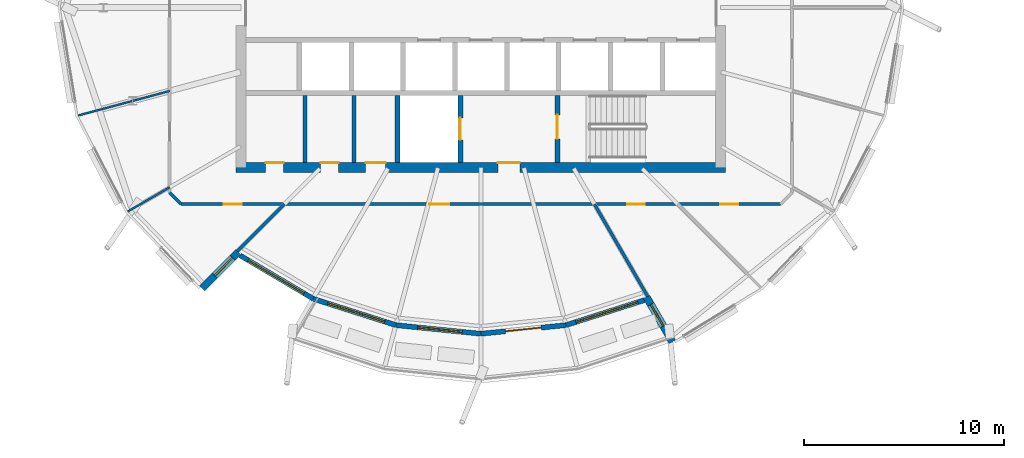
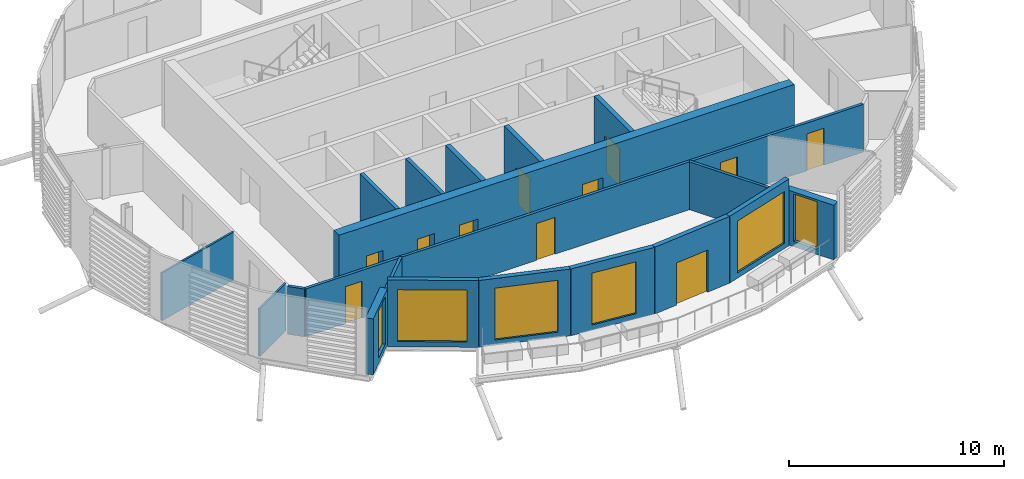
# One storey, part 20 of 41: 19 walls, 11 doors, 6 windows, 17 openings.
"""IFC4 building model written with IfcOpenShell, lengths in metres."""

import ifcopenshell
import ifcopenshell.guid

model = None  # the IFC model being written
_history = None  # IfcOwnerHistory: only IFC2X3 demands one
_inside = {}  # id of a spatial element -> (the spatial element, [elements in it])
_under = {}  # id of a project, library or spatial element -> (it, [spatial elements below it])
_declared = {}  # id of a project -> (the project, [libraries it declares])
_typed = {}  # id of a type object -> (the type object, [elements of that type])
_made_of = {}  # id of a material, layer set ... -> (it, [elements and type objects made of it])


def new_model(schema):
    """Start an empty IFC model of exactly this schema.

    Asked for "IFC4X3", IfcOpenShell would pick the latest addendum, in which some entities
    have other attributes; the version numbers below select the first issue.
    IFC2X3 requires an IfcOwnerHistory on every rooted entity: one is made here for all.
    """
    global model, _history
    if schema == "IFC4X3":
        model = ifcopenshell.file(schema_version=(4, 3, 0, 0))
    else:
        model = ifcopenshell.file(schema=schema)
    _inside.clear()
    _under.clear()
    _declared.clear()
    _typed.clear()
    _made_of.clear()
    _history = None
    if model.schema == "IFC2X3":
        org = make("IfcOrganization", Name="unknown")
        user = make(
            "IfcPersonAndOrganization",
            ThePerson=make("IfcPerson", FamilyName="unknown"),
            TheOrganization=org,
        )
        app = make(
            "IfcApplication",
            ApplicationDeveloper=org,
            Version="unknown",
            ApplicationFullName="unknown",
            ApplicationIdentifier="unknown",
        )
        _history = make(
            "IfcOwnerHistory",
            OwningUser=user,
            OwningApplication=app,
            ChangeAction="ADDED",
            CreationDate=0,
        )
    return model


def make(cls, **values):
    """One entity of the class cls with the attributes given. An attribute that is None is left unset."""
    return model.create_entity(
        cls, **{name: value for name, value in values.items() if value is not None}
    )


def rooted(cls, **values):
    """An entity with a GlobalId (a new one), such as an element, a storey or a relation."""
    return make(cls, GlobalId=ifcopenshell.guid.new(), OwnerHistory=_history, **values)


def si_unit(unit_type, name, prefix=None):
    """IfcSIUnit, for example si_unit("LENGTHUNIT", "METRE", prefix="MILLI")."""
    return make("IfcSIUnit", UnitType=unit_type, Prefix=prefix, Name=name)


def assignment(units):
    """IfcUnitAssignment: the units of a project."""
    return None if units is None else make("IfcUnitAssignment", Units=units)


def point(xyz):
    """IfcCartesianPoint."""
    return None if xyz is None else make("IfcCartesianPoint", Coordinates=xyz)


def direction(xyz):
    """IfcDirection."""
    return None if xyz is None else make("IfcDirection", DirectionRatios=xyz)


def frame(location, z_axis=None, x_axis=None):
    """IfcAxis2Placement3D, a coordinate frame: its origin and axes. An axis left out is left unset."""
    return make(
        "IfcAxis2Placement3D",
        Location=point(location),
        Axis=direction(z_axis),
        RefDirection=direction(x_axis),
    )


def frame_2d(location, x_axis=None):
    """IfcAxis2Placement2D, a coordinate frame in the plane: its origin and x axis."""
    return make(
        "IfcAxis2Placement2D", Location=point(location), RefDirection=direction(x_axis)
    )


def origin():
    """The frame at (0, 0, 0) with its axes left unset."""
    return frame((0.0, 0.0, 0.0))


def place(relative_to, where):
    """IfcLocalPlacement: puts the frame where relative to a parent placement (None: the world)."""
    return make(
        "IfcLocalPlacement", PlacementRelTo=relative_to, RelativePlacement=where
    )


def context(
    kind, dimensions, precision=None, world=None, true_north=None, identifier=None
):
    """IfcGeometricRepresentationContext, for example the 3D "Model" context."""
    return make(
        "IfcGeometricRepresentationContext",
        ContextIdentifier=identifier,
        ContextType=kind,
        CoordinateSpaceDimension=dimensions,
        Precision=precision,
        WorldCoordinateSystem=world,
        TrueNorth=true_north,
    )


def subcontext(parent, identifier, kind, view, scale=None):
    """IfcGeometricRepresentationSubContext, for example "Body" below "Model"."""
    return make(
        "IfcGeometricRepresentationSubContext",
        ContextIdentifier=identifier,
        ContextType=kind,
        ParentContext=parent,
        TargetScale=scale,
        TargetView=view,
    )


def project(units=None, contexts=None):
    """IfcProject with its units and contexts."""
    return rooted(
        "IfcProject",
        Name="project",
        RepresentationContexts=contexts,
        UnitsInContext=assignment(units),
    )


def spatial(cls, under=None, at=None, **own):
    """A site, building, storey or space (cls), placed at a placement, below another one or the project."""
    s = rooted(cls, ObjectPlacement=at, **own)
    if under is not None:
        _under.setdefault(under.id(), (under, []))[1].append(s)
    return s


def profile(cls, at=None, kind="AREA", **sizes):
    """A parametric profile (cls). Its sizes go by their IFC names, for example OverallWidth=200.0."""
    return make(cls, ProfileType=kind, Position=at, **sizes)


def rectangle(**sizes):
    """IfcRectangleProfileDef."""
    return profile("IfcRectangleProfileDef", **sizes)


def extrude(swept, where, along, depth):
    """IfcExtrudedAreaSolid: the profile swept, set in the frame where, extruded along a direction by depth."""
    return make(
        "IfcExtrudedAreaSolid",
        SweptArea=swept,
        Position=where,
        ExtrudedDirection=direction(along),
        Depth=depth,
    )


def shape(context_of_items, identifier, shape_type, items):
    """IfcShapeRepresentation: the items that make up one representation, for example the "Body"."""
    return make(
        "IfcShapeRepresentation",
        ContextOfItems=context_of_items,
        RepresentationIdentifier=identifier,
        RepresentationType=shape_type,
        Items=items,
    )


def material(Name=None, Category=None):
    """IfcMaterial."""
    return make("IfcMaterial", Name=Name, Category=Category)


def layer(
    of_material, thickness, ventilated=None, Name=None, Category=None, Priority=None
):
    """IfcMaterialLayer: one layer of a wall or slab, of a material (None: an air gap)."""
    return make(
        "IfcMaterialLayer",
        Material=of_material,
        LayerThickness=thickness,
        IsVentilated=ventilated,
        Name=Name,
        Category=Category,
        Priority=Priority,
    )


def layer_set(layers, Name=None):
    """IfcMaterialLayerSet."""
    return make("IfcMaterialLayerSet", MaterialLayers=layers, LayerSetName=Name)


def made_of(thing, what):
    """Note that an element or type object is made of a material, layer set ...; save() writes the relation."""
    if what is not None:
        _made_of.setdefault(what.id(), (what, []))[1].append(thing)
    return thing


def type_object(cls, material=None, **own):
    """A type object (cls), such as IfcWallType, which elements share."""
    return made_of(rooted(cls, **own), material)


def element(
    cls,
    number,
    at=None,
    inside=None,
    cuts=None,
    type_object=None,
    material=None,
    context=None,
    identifier="Body",
    shape_type=None,
    held_by="IfcProductDefinitionShape",
    body=None,
    shapes=None,
    **own,
):
    """One element of the class cls, such as IfcWall. Its Tag is "e" and its number.

    at: its placement. inside: the storey or other place that contains it. cuts: it is an
    opening in that element (IfcRelVoidsElement). A single representation is given by context,
    identifier, shape_type and body (its items); several are given by shapes. held_by: the class
    of the entity that holds the representations. save() writes the other relations.
    """
    e = rooted(cls, Tag="e%d" % number, ObjectPlacement=at, **own)
    if body is not None:
        shapes = [shape(context, identifier, shape_type, body)]
    if shapes is not None:
        e.Representation = make(held_by, Representations=shapes)
    if inside is not None:
        _inside.setdefault(inside.id(), (inside, []))[1].append(e)
    if cuts is not None:
        rooted(
            "IfcRelVoidsElement", RelatingBuildingElement=cuts, RelatedOpeningElement=e
        )
    if type_object is not None:
        _typed.setdefault(type_object.id(), (type_object, []))[1].append(e)
    return made_of(e, material)


def fill(opening, filler):
    """IfcRelFillsElement: the door or window that sits in an opening."""
    return rooted(
        "IfcRelFillsElement",
        RelatingOpeningElement=opening,
        RelatedBuildingElement=filler,
    )


def aggregate(whole, parts):
    """IfcRelAggregates: a whole, such as a stair, and the parts it consists of."""
    return rooted("IfcRelAggregates", RelatingObject=whole, RelatedObjects=parts)


def save(model, path):
    """Write the relations noted so far, then the file.

    IfcRelAggregates (storeys below a building ...), IfcRelContainedInSpatialStructure (elements
    in a storey), IfcRelDefinesByType, IfcRelAssociatesMaterial and IfcRelDeclares: one each for
    every whole, place, type object, material and project.
    """
    for whole, parts in _under.values():
        aggregate(whole, parts)
    for where, things in _inside.values():
        rooted(
            "IfcRelContainedInSpatialStructure",
            RelatedElements=things,
            RelatingStructure=where,
        )
    for kind, things in _typed.values():
        rooted("IfcRelDefinesByType", RelatedObjects=things, RelatingType=kind)
    for what, things in _made_of.values():
        rooted("IfcRelAssociatesMaterial", RelatedObjects=things, RelatingMaterial=what)
    for by, libraries in _declared.values():
        rooted("IfcRelDeclares", RelatingContext=by, RelatedDefinitions=libraries)
    model.write(path)


model = new_model("IFC4")

# Units and contexts
model_context = context("Model", 3, precision=1e-05, world=origin(), true_north=direction((0.0, 1.0)))
body_context = subcontext(model_context, "Body", "Model", "MODEL_VIEW")
ifc_project = project(units=[si_unit("LENGTHUNIT", "METRE"), si_unit("AREAUNIT", "SQUARE_METRE"), si_unit("VOLUMEUNIT", "CUBIC_METRE"), si_unit("PLANEANGLEUNIT", "RADIAN"), si_unit("MASSUNIT", "GRAM", prefix="KILO")], contexts=[model_context])

# Site, building, storey
site_placement = place(None, origin())
site = spatial("IfcSite", under=ifc_project, at=site_placement, CompositionType="ELEMENT")
building_placement = place(site_placement, origin())
building = spatial("IfcBuilding", under=site, at=building_placement, Name="Rimbun Link Towers", CompositionType="ELEMENT")
storey_placement = place(building_placement, frame((0.0, 0.0, 210.5)))
storey = spatial("IfcBuildingStorey", under=building, at=storey_placement, Name="L51", CompositionType="ELEMENT", Elevation=210.5)

# Wall, opening, window
ifc_material_1 = material(Name="Dark enamelled glass spandrel on insulated aluminium backpan", Category="aluminium")
ifc_layer_1 = layer(ifc_material_1, 0.25)
ifc_layer_set_1 = layer_set([ifc_layer_1], Name="CS dark enamelled spandrel wall 250")
wall_type_1 = type_object("IfcWallType", Name="CS dark enamelled spandrel wall 250", PredefinedType="STANDARD", material=ifc_layer_set_1)
wall_1_placement = place(storey_placement, frame((-40.151123046875, -14.576904296875, 0.0), z_axis=(0.0, 0.0, 1.0), x_axis=(-0.860318595316, 0.509756720951, 0.0)))
wall_1 = element("IfcWall", 1, at=wall_1_placement, inside=storey, type_object=wall_type_1, Name="Crease spandrel wall", PredefinedType="STANDARD", context=body_context, shape_type="SweptSolid", body=[
    extrude(rectangle(XDim=4.24951171875, YDim=0.25, at=frame_2d((2.124755859375, 0.0))), origin(), (0.0, 0.0, 1.0), 3.800048828125),
])
opening_1_placement = place(wall_1_placement, frame((0.528564453125, 0.0, 0.300048828125)))
opening_1 = element("IfcOpeningElement", 2, at=opening_1_placement, cuts=wall_1, Name="Opening WR32H295", PredefinedType="OPENING", context=body_context, shape_type="SweptSolid", body=[
    extrude(rectangle(XDim=3.25, YDim=2.949951171875, at=frame_2d((1.625, 1.47509765625))), frame((0.0, 0.135009765625, 0.0), z_axis=(0.0, -1.0, 0.0), x_axis=(1.0, 0.0, 0.0)), (0.0, 0.0, 1.0), 0.27001953125),
])
ifc_material_2 = material(Name="Aluminium framed fixed window, dark tinted low-e glass", Category="aluminium")
window_type_1 = type_object("IfcWindowType", Name="WR ribbon window 3250X2950", PartitioningType="SINGLE_PANEL", PredefinedType="WINDOW", material=ifc_material_2)
window_1_placement = place(opening_1_placement, origin())
window_1 = element("IfcWindow", 3, at=window_1_placement, inside=storey, type_object=window_type_1, Name="Crease ribbon window", OverallHeight=2.949951171875, OverallWidth=3.25, PartitioningType="SINGLE_PANEL", PredefinedType="WINDOW", context=body_context, shape_type="SweptSolid", body=[
    extrude(rectangle(XDim=3.25, YDim=2.949951171875, at=frame_2d((1.625, 1.47509765625))), frame((0.0, 0.030029296875, 0.0), z_axis=(0.0, -1.0, 0.0), x_axis=(1.0, 0.0, 0.0)), (0.0, 0.0, 1.0), 0.06005859375),
])
fill(opening_1, window_1)

wall_2_placement = place(storey_placement, frame((-36.002685546875, -15.8994140625, 0.0), z_axis=(0.0, 0.0, 1.0), x_axis=(-0.952756261538, 0.303735915063, 0.0)))
wall_2 = element("IfcWall", 4, at=wall_2_placement, inside=storey, type_object=wall_type_1, Name="Crease spandrel wall", PredefinedType="STANDARD", context=body_context, shape_type="SweptSolid", body=[
    extrude(rectangle(XDim=4.354248046875, YDim=0.25, at=frame_2d((2.17724609375, 0.0))), origin(), (0.0, 0.0, 1.0), 3.800048828125),
])
opening_2_placement = place(wall_2_placement, frame((0.591064453125, 0.0, 0.300048828125)))
opening_2 = element("IfcOpeningElement", 5, at=opening_2_placement, cuts=wall_2, Name="Opening WR30H295", PredefinedType="OPENING", context=body_context, shape_type="SweptSolid", body=[
    extrude(rectangle(XDim=3.0, YDim=2.949951171875, at=frame_2d((1.5, 1.47509765625))), frame((0.0, 0.135009765625, 0.0), z_axis=(0.0, -1.0, 0.0), x_axis=(1.0, 0.0, 0.0)), (0.0, 0.0, 1.0), 0.27001953125),
])
ifc_material_3 = material(Name="Aluminium framed fixed window, dark tinted low-e glass", Category="aluminium")
window_type_2 = type_object("IfcWindowType", Name="WR ribbon window 3000X2950", PartitioningType="SINGLE_PANEL", PredefinedType="WINDOW", material=ifc_material_3)
window_2_placement = place(opening_2_placement, origin())
window_2 = element("IfcWindow", 6, at=window_2_placement, inside=storey, type_object=window_type_2, Name="Crease ribbon window", OverallHeight=2.949951171875, OverallWidth=3.0, PartitioningType="SINGLE_PANEL", PredefinedType="WINDOW", context=body_context, shape_type="SweptSolid", body=[
    extrude(rectangle(XDim=3.0, YDim=2.949951171875, at=frame_2d((1.5, 1.47509765625))), frame((0.0, 0.030029296875, 0.0), z_axis=(0.0, -1.0, 0.0), x_axis=(1.0, 0.0, 0.0)), (0.0, 0.0, 1.0), 0.06005859375),
])
fill(opening_2, window_2)

wall_3_placement = place(storey_placement, frame((-31.75, -16.329345703125, 0.0), z_axis=(0.0, 0.0, 1.0), x_axis=(-0.994928589789, 0.100583801976, 0.0)))
wall_3 = element("IfcWall", 7, at=wall_3_placement, inside=storey, type_object=wall_type_1, Name="Crease spandrel wall", PredefinedType="STANDARD", context=body_context, shape_type="SweptSolid", body=[
    extrude(rectangle(XDim=4.2744140625, YDim=0.25, at=frame_2d((2.13720703125, 0.0))), origin(), (0.0, 0.0, 1.0), 3.800048828125),
])
opening_3_placement = place(wall_3_placement, frame((0.939697265625, 0.0, 0.300048828125)))
opening_3 = element("IfcOpeningElement", 8, at=opening_3_placement, cuts=wall_3, Name="Opening WR22H295", PredefinedType="OPENING", context=body_context, shape_type="SweptSolid", body=[
    extrude(rectangle(XDim=2.25, YDim=2.949951171875, at=frame_2d((1.125, 1.47509765625))), frame((0.0, 0.135009765625, 0.0), z_axis=(0.0, -1.0, 0.0), x_axis=(1.0, 0.0, 0.0)), (0.0, 0.0, 1.0), 0.27001953125),
])
ifc_material_4 = material(Name="Aluminium framed fixed window, dark tinted low-e glass", Category="aluminium")
window_type_3 = type_object("IfcWindowType", Name="WR ribbon window 2250X2950", PartitioningType="SINGLE_PANEL", PredefinedType="WINDOW", material=ifc_material_4)
window_3_placement = place(opening_3_placement, origin())
window_3 = element("IfcWindow", 9, at=window_3_placement, inside=storey, type_object=window_type_3, Name="Crease ribbon window", OverallHeight=2.949951171875, OverallWidth=2.25, PartitioningType="SINGLE_PANEL", PredefinedType="WINDOW", context=body_context, shape_type="SweptSolid", body=[
    extrude(rectangle(XDim=2.25, YDim=2.949951171875, at=frame_2d((1.125, 1.47509765625))), frame((0.0, 0.030029296875, 0.0), z_axis=(0.0, -1.0, 0.0), x_axis=(1.0, 0.0, 0.0)), (0.0, 0.0, 1.0), 0.06005859375),
])
fill(opening_3, window_3)

# Wall, opening, door
wall_4_placement = place(storey_placement, frame((-27.497314453125, -15.8994140625, 0.0), z_axis=(0.0, 0.0, 1.0), x_axis=(-0.994928589789, -0.100583801976, 0.0)))
wall_4 = element("IfcWall", 10, at=wall_4_placement, inside=storey, type_object=wall_type_1, Name="Crease spandrel wall", PredefinedType="STANDARD", context=body_context, shape_type="SweptSolid", body=[
    extrude(rectangle(XDim=4.2744140625, YDim=0.25, at=frame_2d((2.13720703125, 0.0))), origin(), (0.0, 0.0, 1.0), 3.800048828125),
])
opening_4_placement = place(wall_4_placement, frame((1.2373046875, 0.0, 0.0)))
opening_4 = element("IfcOpeningElement", 11, at=opening_4_placement, cuts=wall_4, Name="Opening ED79", PredefinedType="OPENING", context=body_context, shape_type="SweptSolid", body=[
    extrude(rectangle(XDim=1.800048828125, YDim=2.39990234375, at=frame_2d((0.89990234375, 1.199951171875))), frame((0.0, 0.135009765625, 0.0), z_axis=(0.0, -1.0, 0.0), x_axis=(1.0, 0.0, 0.0)), (0.0, 0.0, 1.0), 0.27001953125),
])
ifc_material_5 = material(Name="Aluminium framed glazed door, low-iron glass", Category="aluminium")
door_type_1 = type_object("IfcDoorType", Name="ED terrace door double leaf 1800X2400", OperationType="DOUBLE_DOOR_SINGLE_SWING", PredefinedType="DOOR", material=ifc_material_5)
door_1_placement = place(opening_4_placement, origin())
door_1 = element("IfcDoor", 12, at=door_1_placement, inside=storey, type_object=door_type_1, Name="Terrace door", OperationType="SINGLE_SWING_LEFT", OverallHeight=2.39990234375, OverallWidth=1.800048828125, PredefinedType="DOOR", context=body_context, shape_type="SweptSolid", body=[
    extrude(rectangle(XDim=1.800048828125, YDim=2.39990234375, at=frame_2d((0.89990234375, 1.199951171875))), frame((0.0, 0.02490234375, 0.0), z_axis=(0.0, -1.0, 0.0), x_axis=(1.0, 0.0, 0.0)), (0.0, 0.0, 1.0), 0.050048828125),
])
fill(opening_4, door_1)

# Wall, opening, window
wall_5_placement = place(storey_placement, frame((-23.580078125, -14.650634765625, 0.0), z_axis=(0.0, 0.0, 1.0), x_axis=(-0.95275796555, -0.303730569884, 0.0)))
wall_5 = element("IfcWall", 13, at=wall_5_placement, inside=storey, type_object=wall_type_1, Name="Crease spandrel wall", PredefinedType="STANDARD", context=body_context, shape_type="SweptSolid", body=[
    extrude(rectangle(XDim=4.111572265625, YDim=0.25, at=frame_2d((2.0556640625, 0.0))), origin(), (0.0, 0.0, 1.0), 3.800048828125),
])
opening_5_placement = place(wall_5_placement, frame((0.33154296875, 0.0, 0.300048828125)))
opening_5 = element("IfcOpeningElement", 14, at=opening_5_placement, cuts=wall_5, Name="Opening WR32H295", PredefinedType="OPENING", context=body_context, shape_type="SweptSolid", body=[
    extrude(rectangle(XDim=3.25, YDim=2.949951171875, at=frame_2d((1.625, 1.47509765625))), frame((0.0, 0.135009765625, 0.0), z_axis=(0.0, -1.0, 0.0), x_axis=(1.0, 0.0, 0.0)), (0.0, 0.0, 1.0), 0.27001953125),
])
window_4_placement = place(opening_5_placement, origin())
window_4 = element("IfcWindow", 15, at=window_4_placement, inside=storey, type_object=window_type_1, Name="Crease ribbon window", OverallHeight=2.949951171875, OverallWidth=3.25, PartitioningType="SINGLE_PANEL", PredefinedType="WINDOW", context=body_context, shape_type="SweptSolid", body=[
    extrude(rectangle(XDim=3.25, YDim=2.949951171875, at=frame_2d((1.625, 1.47509765625))), frame((0.0, 0.030029296875, 0.0), z_axis=(0.0, -1.0, 0.0), x_axis=(1.0, 0.0, 0.0)), (0.0, 0.0, 1.0), 0.06005859375),
])
fill(opening_5, window_4)

ifc_material_6 = material(Name="Dark enamelled glass spandrel on insulated aluminium backpan", Category="aluminium")
ifc_layer_2 = layer(ifc_material_6, 0.3701171875)
ifc_layer_set_2 = layer_set([ifc_layer_2], Name="CS dark enamelled spandrel wall 370")
wall_type_2 = type_object("IfcWallType", Name="CS dark enamelled spandrel wall 370", PredefinedType="STANDARD", material=ifc_layer_set_2)
wall_6_placement = place(storey_placement, frame((-43.891845703125, -12.23388671875, 0.0), z_axis=(0.0, 0.0, 1.0), x_axis=(-0.70715409354, -0.707059465667, 0.0)))
wall_6 = element("IfcWall", 16, at=wall_6_placement, inside=storey, type_object=wall_type_2, Name="Crease spandrel wall", PredefinedType="STANDARD", context=body_context, shape_type="SweptSolid", body=[
    extrude(rectangle(XDim=2.580078125, YDim=0.3701171875, at=frame_2d((1.2900390625, 0.0))), origin(), (0.0, 0.0, 1.0), 3.196533203125),
])
opening_6_placement = place(wall_6_placement, frame((0.422607421875, 0.0, 0.300048828125)))
opening_6 = element("IfcOpeningElement", 17, at=opening_6_placement, cuts=wall_6, Name="Opening WR12H270", PredefinedType="OPENING", context=body_context, shape_type="SweptSolid", body=[
    extrude(rectangle(XDim=1.25, YDim=2.699951171875, at=frame_2d((0.625, 1.35009765625))), frame((0.0, 0.195068359375, 0.0), z_axis=(0.0, -1.0, 0.0), x_axis=(1.0, 0.0, 0.0)), (0.0, 0.0, 1.0), 0.39013671875),
])
ifc_material_7 = material(Name="Aluminium framed fixed window, dark tinted low-e glass", Category="aluminium")
window_type_4 = type_object("IfcWindowType", Name="WR ribbon window 1250X2700", PartitioningType="SINGLE_PANEL", PredefinedType="WINDOW", material=ifc_material_7)
window_5_placement = place(opening_6_placement, origin())
window_5 = element("IfcWindow", 18, at=window_5_placement, inside=storey, type_object=window_type_4, Name="Crease ribbon window", OverallHeight=2.699951171875, OverallWidth=1.25, PartitioningType="SINGLE_PANEL", PredefinedType="WINDOW", context=body_context, shape_type="SweptSolid", body=[
    extrude(rectangle(XDim=1.25, YDim=2.699951171875, at=frame_2d((0.625, 1.35009765625))), frame((0.0, 0.030029296875, 0.0), z_axis=(0.0, -1.0, 0.0), x_axis=(1.0, 0.0, 0.0)), (0.0, 0.0, 1.0), 0.06005859375),
])
fill(opening_6, window_5)

wall_7_placement = place(storey_placement, frame((-22.16650390625, -16.728759765625, 0.0), z_axis=(0.0, 0.0, 1.0), x_axis=(-0.500047388771, 0.865998042136, 0.0)))
wall_7 = element("IfcWall", 19, at=wall_7_placement, inside=storey, type_object=wall_type_2, Name="Crease spandrel wall", PredefinedType="STANDARD", context=body_context, shape_type="SweptSolid", body=[
    extrude(rectangle(XDim=2.579833984375, YDim=0.3701171875, at=frame_2d((1.2900390625, 0.0))), origin(), (0.0, 0.0, 1.0), 3.116943359375),
])
opening_7_placement = place(wall_7_placement, frame((0.90625, 0.0, 0.300048828125)))
opening_7 = element("IfcOpeningElement", 20, at=opening_7_placement, cuts=wall_7, Name="Opening WR12H270", PredefinedType="OPENING", context=body_context, shape_type="SweptSolid", body=[
    extrude(rectangle(XDim=1.25, YDim=2.699951171875, at=frame_2d((0.625, 1.35009765625))), frame((0.0, 0.195068359375, 0.0), z_axis=(0.0, -1.0, 0.0), x_axis=(1.0, 0.0, 0.0)), (0.0, 0.0, 1.0), 0.39013671875),
])
window_6_placement = place(opening_7_placement, origin())
window_6 = element("IfcWindow", 21, at=window_6_placement, inside=storey, type_object=window_type_4, Name="Crease ribbon window", OverallHeight=2.699951171875, OverallWidth=1.25, PartitioningType="SINGLE_PANEL", PredefinedType="WINDOW", context=body_context, shape_type="SweptSolid", body=[
    extrude(rectangle(XDim=1.25, YDim=2.699951171875, at=frame_2d((0.625, 1.35009765625))), frame((0.0, 0.030029296875, 0.0), z_axis=(0.0, -1.0, 0.0), x_axis=(1.0, 0.0, 0.0)), (0.0, 0.0, 1.0), 0.06005859375),
])
fill(opening_7, window_6)

# Walls
ifc_material_8 = material(Name="Masonry blockwork", Category="masonry")
ifc_layer_3 = layer(ifc_material_8, 0.199951171875)
ifc_layer_set_3 = layer_set([ifc_layer_3], Name="Core partition 200")
wall_type_3 = type_object("IfcWallType", Name="Core partition 200", PredefinedType="PARTITIONING", material=ifc_layer_set_3)
for number, where, z_axis, x_axis, name in (
    (22, (-40.550048828125, -4.39990234375, 0.0), (0.0, 0.0, 1.0), (0.0, -1.0, 0.0), "L51 T1 core wall C1"),
    (23, (-38.10009765625, -4.39990234375, 0.0), (0.0, 0.0, 1.0), (0.0, -1.0, 0.0), "L51 T1 core wall C2"),
):
    element("IfcWall", number, at=place(storey_placement, frame(where, z_axis=z_axis, x_axis=x_axis)), inside=storey, type_object=wall_type_3, Name=name, PredefinedType="PARTITIONING", context=body_context, shape_type="SweptSolid", body=[
        extrude(rectangle(XDim=3.35009765625, YDim=0.199951171875, at=frame_2d((1.675048828125, 0.0))), origin(), (0.0, 0.0, 1.0), 3.800048828125),
    ])

# Wall, openings, doors
ifc_material_9 = material(Name="Concrete C60/75", Category="concrete")
ifc_layer_4 = layer(ifc_material_9, 0.5)
ifc_layer_set_4 = layer_set([ifc_layer_4], Name="Core shear wall 500")
wall_type_4 = type_object("IfcWallType", Name="Core shear wall 500", PredefinedType="SHEAR", material=ifc_layer_set_4)
wall_8_placement = place(storey_placement, frame((-44.0, -8.0, 0.0), z_axis=(0.0, 0.0, 1.0), x_axis=(1.0, 0.0, 0.0)))
wall_8 = element("IfcWall", 24, at=wall_8_placement, inside=storey, type_object=wall_type_4, Name="L51 T1 core wall S", PredefinedType="SHEAR", context=body_context, shape_type="SweptSolid", body=[
    extrude(rectangle(XDim=24.5, YDim=0.5, at=frame_2d((12.25, 0.0))), origin(), (0.0, 0.0, 1.0), 3.800048828125),
])
opening_8_placement = place(wall_8_placement, frame((13.10009765625, 0.0, 0.0)))
opening_8 = element("IfcOpeningElement", 25, at=opening_8_placement, cuts=wall_8, Name="Opening C1DCF01S", PredefinedType="OPENING", context=body_context, shape_type="SweptSolid", body=[
    extrude(rectangle(XDim=1.10009765625, YDim=2.10009765625, at=frame_2d((0.550048828125, 1.050048828125))), frame((0.0, 0.260009765625, 0.0), z_axis=(0.0, -1.0, 0.0), x_axis=(1.0, 0.0, 0.0)), (0.0, 0.0, 1.0), 0.52001953125),
])
opening_9_placement = place(wall_8_placement, frame((1.47509765625, 0.0, 0.0)))
opening_9 = element("IfcOpeningElement", 26, at=opening_9_placement, cuts=wall_8, Name="Opening C1DWC02S", PredefinedType="OPENING", context=body_context, shape_type="SweptSolid", body=[
    extrude(rectangle(XDim=0.89990234375, YDim=2.10009765625, at=frame_2d((0.449951171875, 1.050048828125))), frame((0.0, 0.260009765625, 0.0), z_axis=(0.0, -1.0, 0.0), x_axis=(1.0, 0.0, 0.0)), (0.0, 0.0, 1.0), 0.52001953125),
])
opening_10_placement = place(wall_8_placement, frame((4.22509765625, 0.0, 0.0)))
opening_10 = element("IfcOpeningElement", 27, at=opening_10_placement, cuts=wall_8, Name="Opening C1DWC03S", PredefinedType="OPENING", context=body_context, shape_type="SweptSolid", body=[
    extrude(rectangle(XDim=0.89990234375, YDim=2.10009765625, at=frame_2d((0.449951171875, 1.050048828125))), frame((0.0, 0.260009765625, 0.0), z_axis=(0.0, -1.0, 0.0), x_axis=(1.0, 0.0, 0.0)), (0.0, 0.0, 1.0), 0.52001953125),
])
opening_11_placement = place(wall_8_placement, frame((6.47509765625, 0.0, 0.0)))
opening_11 = element("IfcOpeningElement", 28, at=opening_11_placement, cuts=wall_8, Name="Opening C1DAW04S", PredefinedType="OPENING", context=body_context, shape_type="SweptSolid", body=[
    extrude(rectangle(XDim=1.0, YDim=2.10009765625, at=frame_2d((0.5, 1.050048828125))), frame((0.0, 0.260009765625, 0.0), z_axis=(0.0, -1.0, 0.0), x_axis=(1.0, 0.0, 0.0)), (0.0, 0.0, 1.0), 0.52001953125),
])
ifc_material_10 = material(Name="Timber", Category="wood")
door_type_2 = type_object("IfcDoorType", Name="Accessible WC door", OperationType="SINGLE_SWING_LEFT", PredefinedType="DOOR", material=ifc_material_10)
door_2_placement = place(opening_11_placement, origin())
door_2 = element("IfcDoor", 29, at=door_2_placement, inside=storey, type_object=door_type_2, Name="L51 T1 accessible wc door", OperationType="SINGLE_SWING_LEFT", OverallHeight=2.10009765625, OverallWidth=1.0, PredefinedType="DOOR", context=body_context, shape_type="SweptSolid", body=[
    extrude(rectangle(XDim=1.0, YDim=2.10009765625, at=frame_2d((0.5, 1.050048828125))), frame((0.0, 0.25, 0.0), z_axis=(0.0, -1.0, 0.0), x_axis=(1.0, 0.0, 0.0)), (0.0, 0.0, 1.0), 0.050048828125),
])
fill(opening_11, door_2)
ifc_material_11 = material(Name="Steel fire door set", Category="steel")
door_type_3 = type_object("IfcDoorType", Name="Core fire door single", OperationType="SINGLE_SWING_LEFT", PredefinedType="DOOR", material=ifc_material_11)
door_3_placement = place(opening_8_placement, origin())
door_3 = element("IfcDoor", 30, at=door_3_placement, inside=storey, type_object=door_type_3, Name="L51 T1 firefighting lobby s door", OperationType="SINGLE_SWING_RIGHT", OverallHeight=2.10009765625, OverallWidth=1.10009765625, PredefinedType="DOOR", context=body_context, shape_type="SweptSolid", body=[
    extrude(rectangle(XDim=1.10009765625, YDim=2.10009765625, at=frame_2d((0.550048828125, 1.050048828125))), frame((0.0, 0.25, 0.0), z_axis=(0.0, -1.0, 0.0), x_axis=(1.0, 0.0, 0.0)), (0.0, 0.0, 1.0), 0.050048828125),
])
fill(opening_8, door_3)
ifc_material_12 = material(Name="Timber", Category="wood")
door_type_4 = type_object("IfcDoorType", Name="WC door", OperationType="SINGLE_SWING_LEFT", PredefinedType="DOOR", material=ifc_material_12)
door_4_placement = place(opening_9_placement, origin())
door_4 = element("IfcDoor", 31, at=door_4_placement, inside=storey, type_object=door_type_4, Name="L51 T1 male wc door", OperationType="SINGLE_SWING_RIGHT", OverallHeight=2.10009765625, OverallWidth=0.89990234375, PredefinedType="DOOR", context=body_context, shape_type="SweptSolid", body=[
    extrude(rectangle(XDim=0.89990234375, YDim=2.10009765625, at=frame_2d((0.449951171875, 1.050048828125))), frame((0.0, 0.25, 0.0), z_axis=(0.0, -1.0, 0.0), x_axis=(1.0, 0.0, 0.0)), (0.0, 0.0, 1.0), 0.050048828125),
])
fill(opening_9, door_4)
door_5_placement = place(opening_10_placement, origin())
door_5 = element("IfcDoor", 32, at=door_5_placement, inside=storey, type_object=door_type_4, Name="L51 T1 female wc door", OperationType="SINGLE_SWING_RIGHT", OverallHeight=2.10009765625, OverallWidth=0.89990234375, PredefinedType="DOOR", context=body_context, shape_type="SweptSolid", body=[
    extrude(rectangle(XDim=0.89990234375, YDim=2.10009765625, at=frame_2d((0.449951171875, 1.050048828125))), frame((0.0, 0.25, 0.0), z_axis=(0.0, -1.0, 0.0), x_axis=(1.0, 0.0, 0.0)), (0.0, 0.0, 1.0), 0.050048828125),
])
fill(opening_10, door_5)

ifc_material_13 = material(Name="Plasterboard on steel stud, mineral wool", Category="steel")
ifc_layer_5 = layer(ifc_material_13, 0.14990234375)
ifc_layer_set_5 = layer_set([ifc_layer_5], Name="Corridor wall EI 30 150 mm")
wall_type_5 = type_object("IfcWallType", Name="Corridor wall EI 30 150 mm", PredefinedType="PARTITIONING", material=ifc_layer_set_5)
wall_9_placement = place(storey_placement, frame((-16.746337890625, -9.844970703125, 0.0), z_axis=(0.0, 0.0, 1.0), x_axis=(-1.0, 0.0, 0.0)))
wall_9 = element("IfcWall", 33, at=wall_9_placement, inside=storey, type_object=wall_type_5, Name="Corridor wall EI 30 150 mm", PredefinedType="PARTITIONING", context=body_context, shape_type="SweptSolid", body=[
    extrude(rectangle(XDim=30.00732421875, YDim=0.14990234375, at=frame_2d((15.003662109375, 0.0))), origin(), (0.0, 0.0, 1.0), 2.721923828125),
])
opening_12_placement = place(wall_9_placement, frame((6.789306640625, 0.0, 0.0)))
opening_12 = element("IfcOpeningElement", 34, at=opening_12_placement, cuts=wall_9, Name="Opening D02", PredefinedType="OPENING", context=body_context, shape_type="SweptSolid", body=[
    extrude(rectangle(XDim=0.89990234375, YDim=2.10009765625, at=frame_2d((0.449951171875, 1.050048828125))), frame((0.0, 0.0849609375, 0.0), z_axis=(0.0, -1.0, 0.0), x_axis=(1.0, 0.0, 0.0)), (0.0, 0.0, 1.0), 0.169921875),
])
opening_13_placement = place(wall_9_placement, frame((2.12939453125, 0.0, 0.0)))
opening_13 = element("IfcOpeningElement", 35, at=opening_13_placement, cuts=wall_9, Name="Opening D02", PredefinedType="OPENING", context=body_context, shape_type="SweptSolid", body=[
    extrude(rectangle(XDim=0.89990234375, YDim=2.10009765625, at=frame_2d((0.449951171875, 1.050048828125))), frame((0.0, 0.0849609375, 0.0), z_axis=(0.0, -1.0, 0.0), x_axis=(1.0, 0.0, 0.0)), (0.0, 0.0, 1.0), 0.169921875),
])
opening_14_placement = place(wall_9_placement, frame((26.97802734375, 0.0, 0.0)))
opening_14 = element("IfcOpeningElement", 36, at=opening_14_placement, cuts=wall_9, Name="Opening D02", PredefinedType="OPENING", context=body_context, shape_type="SweptSolid", body=[
    extrude(rectangle(XDim=0.89990234375, YDim=2.10009765625, at=frame_2d((0.449951171875, 1.050048828125))), frame((0.0, 0.0849609375, 0.0), z_axis=(0.0, -1.0, 0.0), x_axis=(1.0, 0.0, 0.0)), (0.0, 0.0, 1.0), 0.169921875),
])
opening_15_placement = place(wall_9_placement, frame((16.584228515625, 0.0, 0.0)))
opening_15 = element("IfcOpeningElement", 37, at=opening_15_placement, cuts=wall_9, Name="Opening D01", PredefinedType="OPENING", context=body_context, shape_type="SweptSolid", body=[
    extrude(rectangle(XDim=1.0, YDim=2.10009765625, at=frame_2d((0.5, 1.050048828125))), frame((0.0, 0.0849609375, 0.0), z_axis=(0.0, -1.0, 0.0), x_axis=(1.0, 0.0, 0.0)), (0.0, 0.0, 1.0), 0.169921875),
])
ifc_material_14 = material(Name="Fire-resisting timber door leaf", Category="wood")
door_type_5 = type_object("IfcDoorType", Name="Fire door FD30S 1000", OperationType="NOTDEFINED", PredefinedType="DOOR", material=ifc_material_14)
door_6_placement = place(opening_15_placement, origin())
door_6 = element("IfcDoor", 38, at=door_6_placement, inside=storey, type_object=door_type_5, Name="Fire door FD30S 1000 to Terrace office", OperationType="SINGLE_SWING_RIGHT", OverallHeight=2.10009765625, OverallWidth=1.0, PredefinedType="DOOR", context=body_context, shape_type="SweptSolid", body=[
    extrude(rectangle(XDim=1.0, YDim=2.10009765625, at=frame_2d((0.5, 1.050048828125))), frame((0.0, 0.02490234375, 0.0), z_axis=(0.0, -1.0, 0.0), x_axis=(1.0, 0.0, 0.0)), (0.0, 0.0, 1.0), 0.050048828125),
])
fill(opening_15, door_6)
ifc_material_15 = material(Name="Fire-resisting timber door leaf", Category="wood")
door_type_6 = type_object("IfcDoorType", Name="Fire door FD30S 900", OperationType="NOTDEFINED", PredefinedType="DOOR", material=ifc_material_15)
door_7_placement = place(opening_12_placement, origin())
door_7 = element("IfcDoor", 39, at=door_7_placement, inside=storey, type_object=door_type_6, Name="Fire door FD30S 900 to Meeting room", OperationType="SINGLE_SWING_LEFT", OverallHeight=2.10009765625, OverallWidth=0.89990234375, PredefinedType="DOOR", context=body_context, shape_type="SweptSolid", body=[
    extrude(rectangle(XDim=0.89990234375, YDim=2.10009765625, at=frame_2d((0.449951171875, 1.050048828125))), frame((0.0, 0.02490234375, 0.0), z_axis=(0.0, -1.0, 0.0), x_axis=(1.0, 0.0, 0.0)), (0.0, 0.0, 1.0), 0.050048828125),
])
fill(opening_12, door_7)
door_8_placement = place(opening_13_placement, origin())
door_8 = element("IfcDoor", 40, at=door_8_placement, inside=storey, type_object=door_type_6, Name="Fire door FD30S 900 to Executive office", OperationType="SINGLE_SWING_RIGHT", OverallHeight=2.10009765625, OverallWidth=0.89990234375, PredefinedType="DOOR", context=body_context, shape_type="SweptSolid", body=[
    extrude(rectangle(XDim=0.89990234375, YDim=2.10009765625, at=frame_2d((0.449951171875, 1.050048828125))), frame((0.0, 0.02490234375, 0.0), z_axis=(0.0, -1.0, 0.0), x_axis=(1.0, 0.0, 0.0)), (0.0, 0.0, 1.0), 0.050048828125),
])
fill(opening_13, door_8)
door_9_placement = place(opening_14_placement, origin())
door_9 = element("IfcDoor", 41, at=door_9_placement, inside=storey, type_object=door_type_6, Name="Fire door FD30S 900 to Meeting room", OperationType="SINGLE_SWING_LEFT", OverallHeight=2.10009765625, OverallWidth=0.89990234375, PredefinedType="DOOR", context=body_context, shape_type="SweptSolid", body=[
    extrude(rectangle(XDim=0.89990234375, YDim=2.10009765625, at=frame_2d((0.449951171875, 1.050048828125))), frame((0.0, 0.02490234375, 0.0), z_axis=(0.0, -1.0, 0.0), x_axis=(1.0, 0.0, 0.0)), (0.0, 0.0, 1.0), 0.050048828125),
])
fill(opening_14, door_9)

# Walls
wall_10_placement = place(storey_placement, frame((-47.3349609375, -9.263671875, 0.0), z_axis=(0.0, 0.0, 1.0), x_axis=(0.707106781187, -0.707106781187, 0.0)))
element("IfcWall", 42, at=wall_10_placement, inside=storey, type_object=wall_type_5, Name="Corridor wall EI 30 150 mm", PredefinedType="PARTITIONING", context=body_context, shape_type="SweptSolid", body=[
    extrude(rectangle(XDim=0.822021484375, YDim=0.14990234375, at=frame_2d((0.4111328125, 0.0))), origin(), (0.0, 0.0, 1.0), 2.721923828125),
])
ifc_material_16 = material(Name="Plasterboard on steel stud", Category="steel")
ifc_layer_6 = layer(ifc_material_16, 0.10009765625)
ifc_layer_set_6 = layer_set([ifc_layer_6], Name="Plasterboard partition 100 mm")
wall_type_6 = type_object("IfcWallType", Name="Plasterboard partition 100 mm", PredefinedType="PARTITIONING", material=ifc_layer_set_6)
wall_11_placement = place(storey_placement, frame((-51.92138671875, -5.40478515625, 0.0), z_axis=(0.0, 0.0, 1.0), x_axis=(0.96593474065, 0.258785773964, 0.0)))
element("IfcWall", 43, at=wall_11_placement, inside=storey, type_object=wall_type_6, Name="Plasterboard partition 100 mm", PredefinedType="PARTITIONING", context=body_context, shape_type="SweptSolid", body=[
    extrude(rectangle(XDim=4.748291015625, YDim=0.10009765625, at=frame_2d((2.3740234375, 0.0))), origin(), (0.0, 0.0, 1.0), 2.721923828125),
])
wall_12_placement = place(storey_placement, frame((-49.434814453125, -10.21044921875, 0.0), z_axis=(0.0, 0.0, 1.0), x_axis=(0.866016233231, 0.500015883528, 0.0)))
element("IfcWall", 44, at=wall_12_placement, inside=storey, type_object=wall_type_6, Name="Plasterboard partition 100 mm", PredefinedType="PARTITIONING", context=body_context, shape_type="SweptSolid", body=[
    extrude(rectangle(XDim=2.4248046875, YDim=0.10009765625, at=frame_2d((1.21240234375, 0.0))), origin(), (0.0, 0.0, 1.0), 2.721923828125),
])

# Wall, opening, door
ifc_material_17 = material(Name="Concrete C60/75", Category="concrete")
ifc_layer_7 = layer(ifc_material_17, 0.25)
ifc_layer_set_7 = layer_set([ifc_layer_7], Name="Shaft wall 250")
wall_type_7 = type_object("IfcWallType", Name="Shaft wall 250", PredefinedType="SHEAR", material=ifc_layer_set_7)
wall_13_placement = place(storey_placement, frame((-27.925048828125, -4.39990234375, 0.0), z_axis=(0.0, 0.0, 1.0), x_axis=(0.0, -1.0, 0.0)))
wall_13 = element("IfcWall", 45, at=wall_13_placement, inside=storey, type_object=wall_type_7, Name="L51 T1 core wall B1", PredefinedType="SHEAR", context=body_context, shape_type="SweptSolid", body=[
    extrude(rectangle(XDim=3.35009765625, YDim=0.25, at=frame_2d((1.675048828125, 0.0))), origin(), (0.0, 0.0, 1.0), 3.800048828125),
])
opening_16_placement = place(wall_13_placement, frame((0.97509765625, 0.0, 0.0)))
opening_16 = element("IfcOpeningElement", 46, at=opening_16_placement, cuts=wall_13, Name="Opening C1DST01B1", PredefinedType="OPENING", context=body_context, shape_type="SweptSolid", body=[
    extrude(rectangle(XDim=1.199951171875, YDim=2.10009765625, at=frame_2d((0.60009765625, 1.050048828125))), frame((0.0, 0.135009765625, 0.0), z_axis=(0.0, -1.0, 0.0), x_axis=(1.0, 0.0, 0.0)), (0.0, 0.0, 1.0), 0.27001953125),
])
ifc_material_18 = material(Name="Steel fire door set", Category="steel")
door_type_7 = type_object("IfcDoorType", Name="Stair door", OperationType="SINGLE_SWING_LEFT", PredefinedType="DOOR", material=ifc_material_18)
door_10_placement = place(opening_16_placement, origin())
door_10 = element("IfcDoor", 47, at=door_10_placement, inside=storey, type_object=door_type_7, Name="L51 T1 stair b door", OperationType="SINGLE_SWING_RIGHT", OverallHeight=2.10009765625, OverallWidth=1.199951171875, PredefinedType="DOOR", context=body_context, shape_type="SweptSolid", body=[
    extrude(rectangle(XDim=1.199951171875, YDim=2.10009765625, at=frame_2d((0.60009765625, 1.050048828125))), frame((0.0, 0.02490234375, 0.0), z_axis=(0.0, -1.0, 0.0), x_axis=(1.0, 0.0, 0.0)), (0.0, 0.0, 1.0), 0.050048828125),
])
fill(opening_16, door_10)

wall_14_placement = place(storey_placement, frame((-32.77490234375, -4.39990234375, 0.0), z_axis=(0.0, 0.0, 1.0), x_axis=(0.0, -1.0, 0.0)))
wall_14 = element("IfcWall", 48, at=wall_14_placement, inside=storey, type_object=wall_type_7, Name="L51 T1 core wall B2", PredefinedType="SHEAR", context=body_context, shape_type="SweptSolid", body=[
    extrude(rectangle(XDim=3.35009765625, YDim=0.25, at=frame_2d((1.675048828125, 0.0))), origin(), (0.0, 0.0, 1.0), 3.800048828125),
])
opening_17_placement = place(wall_14_placement, frame((1.125, 0.0, 0.0)))
opening_17 = element("IfcOpeningElement", 49, at=opening_17_placement, cuts=wall_14, Name="Opening LD-T1-FF2", PredefinedType="OPENING", context=body_context, shape_type="SweptSolid", body=[
    extrude(rectangle(XDim=1.10009765625, YDim=2.10009765625, at=frame_2d((0.550048828125, 1.050048828125))), frame((0.0, 0.135009765625, 0.0), z_axis=(0.0, -1.0, 0.0), x_axis=(1.0, 0.0, 0.0)), (0.0, 0.0, 1.0), 0.27001953125),
])
ifc_material_19 = material(Name="Stainless steel grade 316", Category="steel")
door_type_8 = type_object("IfcDoorType", Name="Lift landing door", OperationType="DOUBLE_DOOR_SLIDING", PredefinedType="DOOR", material=ifc_material_19)
door_11_placement = place(opening_17_placement, origin())
door_11 = element("IfcDoor", 50, at=door_11_placement, inside=storey, type_object=door_type_8, Name="L51 T1 lift FF2 landing door", OperationType="DOUBLE_DOOR_SLIDING", OverallHeight=2.10009765625, OverallWidth=1.10009765625, PredefinedType="DOOR", context=body_context, shape_type="SweptSolid", body=[
    extrude(rectangle(XDim=1.10009765625, YDim=2.10009765625, at=frame_2d((0.550048828125, 1.050048828125))), frame((0.0, 0.02490234375, 0.0), z_axis=(0.0, -1.0, 0.0), x_axis=(1.0, 0.0, 0.0)), (0.0, 0.0, 1.0), 0.050048828125),
])
fill(opening_17, door_11)

# Walls
wall_15_placement = place(storey_placement, frame((-35.925048828125, -4.39990234375, 0.0), z_axis=(0.0, 0.0, 1.0), x_axis=(0.0, -1.0, 0.0)))
element("IfcWall", 51, at=wall_15_placement, inside=storey, type_object=wall_type_7, Name="L51 T1 core wall B3", PredefinedType="SHEAR", context=body_context, shape_type="SweptSolid", body=[
    extrude(rectangle(XDim=3.35009765625, YDim=0.25, at=frame_2d((1.675048828125, 0.0))), origin(), (0.0, 0.0, 1.0), 3.800048828125),
])
ifc_material_20 = material(Name="Plasterboard on steel stud, mineral wool", Category="steel")
ifc_layer_8 = layer(ifc_material_20, 0.14990234375)
ifc_layer_set_8 = layer_set([ifc_layer_8], Name="Tenancy separation wall EI 60 150 mm")
wall_type_8 = type_object("IfcWallType", Name="Tenancy separation wall EI 60 150 mm", PredefinedType="PARTITIONING", material=ifc_layer_set_8)
wall_16_placement = place(storey_placement, frame((-41.594970703125, -9.844970703125, 0.0), z_axis=(0.0, 0.0, 1.0), x_axis=(-0.707106781187, -0.707106781187, 0.0)))
element("IfcWall", 52, at=wall_16_placement, inside=storey, type_object=wall_type_8, Name="Tenancy separation wall EI 60 150 mm", PredefinedType="PARTITIONING", context=body_context, shape_type="SweptSolid", body=[
    extrude(rectangle(XDim=3.3134765625, YDim=0.14990234375, at=frame_2d((1.65673828125, 0.0))), origin(), (0.0, 0.0, 1.0), 2.721923828125),
])
wall_17_placement = place(storey_placement, frame((-26.06591796875, -9.844970703125, 0.0), z_axis=(0.0, 0.0, 1.0), x_axis=(0.499970865209, -0.86604222411, 0.0)))
element("IfcWall", 53, at=wall_17_placement, inside=storey, type_object=wall_type_8, Name="Tenancy separation wall EI 60 150 mm", PredefinedType="PARTITIONING", context=body_context, shape_type="SweptSolid", body=[
    extrude(rectangle(XDim=5.331298828125, YDim=0.14990234375, at=frame_2d((2.66552734375, 0.0))), origin(), (0.0, 0.0, 1.0), 2.721923828125),
])

save(model, "model.ifc")
